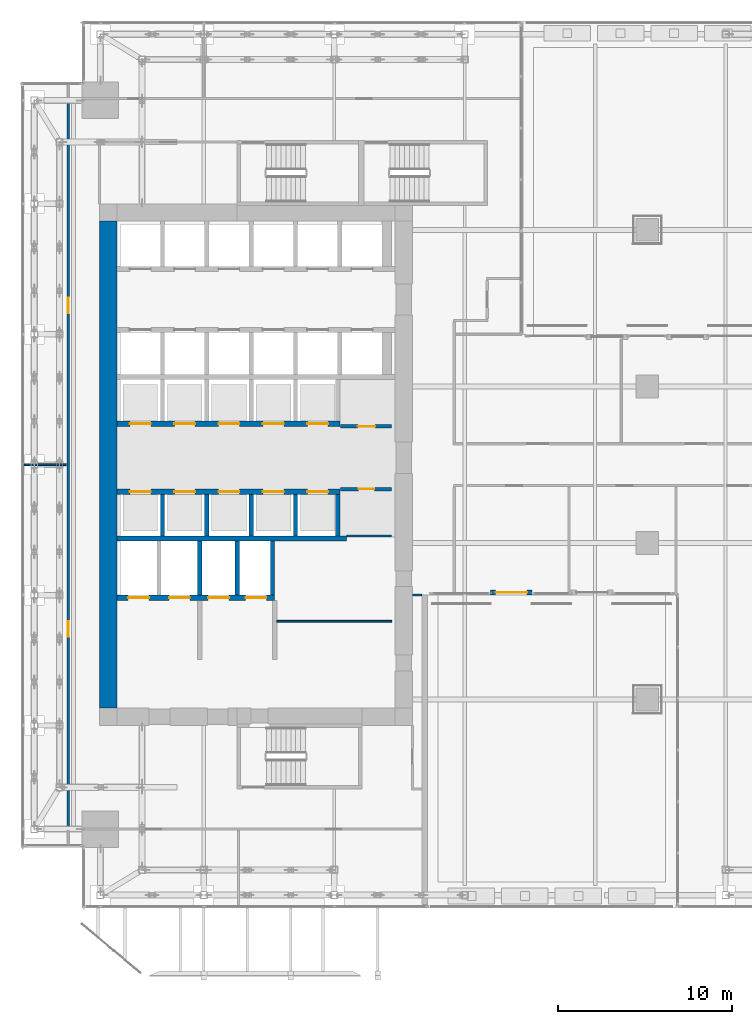
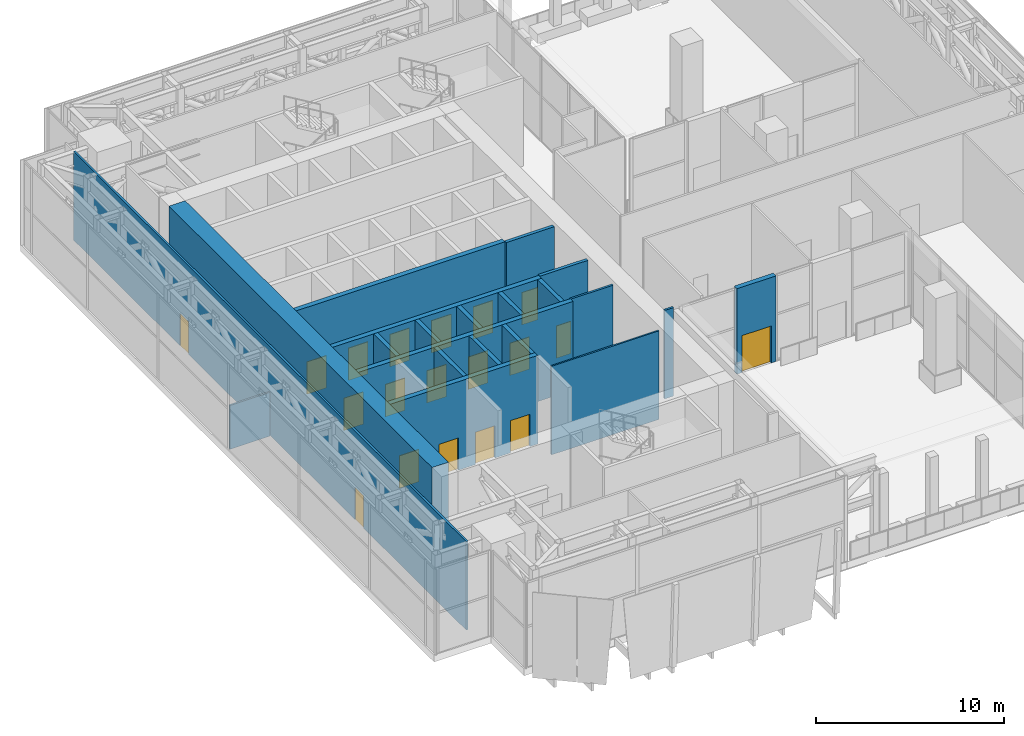
# One storey, part 36 of 47: 21 walls, 19 doors, 19 openings.
"""IFC4 building model written with IfcOpenShell, lengths in metres."""

from ifc_helpers import new_model, si_unit, direction, frame, frame_2d, origin, place, context, subcontext, project, spatial, rectangle, extrude, source, transform, mapped, material, layer, layer_set, type_object, element, fill, save


model = new_model("IFC4")

# Units and contexts
model_context = context("Model", 3, precision=1e-05, world=origin(), true_north=direction((0.0, 1.0)))
body_context = subcontext(model_context, "Body", "Model", "MODEL_VIEW")
ifc_project = project(units=[si_unit("LENGTHUNIT", "METRE"), si_unit("AREAUNIT", "SQUARE_METRE"), si_unit("VOLUMEUNIT", "CUBIC_METRE"), si_unit("PLANEANGLEUNIT", "RADIAN"), si_unit("MASSUNIT", "GRAM", prefix="KILO")], contexts=[model_context])

# Site, building, storey
site_placement = place(None, origin())
site = spatial("IfcSite", under=ifc_project, at=site_placement, CompositionType="ELEMENT")
building_placement = place(site_placement, origin())
building = spatial("IfcBuilding", under=site, at=building_placement, Name="Khomas Fold Tower", CompositionType="ELEMENT")
storey_placement = place(building_placement, frame((0.0, 0.0, 158.699951171875)))
storey = spatial("IfcBuildingStorey", under=building, at=storey_placement, Name="L34", CompositionType="ELEMENT", Elevation=158.699951171875)

# Walls
ifc_material_1 = material(Name="Concrete C70/85", Category="concrete")
ifc_layer_1 = layer(ifc_material_1, 1.0)
ifc_layer_set_1 = layer_set([ifc_layer_1], Name="Concrete C70/85")
wall_type_1 = type_object("IfcWallType", Name="Core wall 1000", PredefinedType="SHEAR", material=ifc_layer_set_1)
shared_shape_1 = source(origin(), body_context, "Body", "SweptSolid", [
    extrude(rectangle(XDim=28.0, YDim=1.0, at=frame_2d((14.0, 0.0))), origin(), (0.0, 0.0, 1.0), 5.75),
])
wall_1_placement = place(storey_placement, frame((6.5, 13.0, 0.0), z_axis=(0.0, 0.0, 1.0), x_axis=(0.0, 1.0, 0.0)))
element("IfcWall", 1, at=wall_1_placement, inside=storey, type_object=wall_type_1, Name="Core wall CW-L-W-L21", PredefinedType="SHEAR", context=body_context, shape_type="MappedRepresentation", body=[
    mapped(shared_shape_1, transform((0.0, 0.0, 0.0))),
])
ifc_material_2 = material(Name="Concrete C50/60", Category="concrete")
ifc_layer_2 = layer(ifc_material_2, 0.300048828125)
ifc_layer_set_2 = layer_set([ifc_layer_2], Name="Concrete C50/60")
wall_type_2 = type_object("IfcWallType", Name="Shaft wall 300", PredefinedType="STANDARD", material=ifc_layer_set_2)
shared_shape_2 = source(origin(), body_context, "Body", "SweptSolid", [
    extrude(rectangle(XDim=13.199951171875, YDim=0.300048828125, at=frame_2d((6.60009765625, 0.0))), origin(), (0.0, 0.0, 1.0), 5.75),
])
wall_2_placement = place(storey_placement, frame((7.0, 22.75, 0.0), z_axis=(0.0, 0.0, 1.0), x_axis=(1.0, 0.0, 0.0)))
element("IfcWall", 2, at=wall_2_placement, inside=storey, type_object=wall_type_2, Name="Core wall SW-FS-B", PredefinedType="STANDARD", context=body_context, shape_type="MappedRepresentation", body=[
    mapped(shared_shape_2, transform((0.0, 0.0, 0.0))),
])

# Wall, openings, doors
shared_shape_3 = source(origin(), body_context, "Body", "SweptSolid", [
    extrude(rectangle(XDim=9.074951171875, YDim=0.300048828125, at=frame_2d((4.53759765625, 0.0))), origin(), (0.0, 0.0, 1.0), 5.75),
])
wall_3_placement = place(storey_placement, frame((7.0, 19.35009765625, 0.0), z_axis=(0.0, 0.0, 1.0), x_axis=(1.0, 0.0, 0.0)))
wall_3 = element("IfcWall", 3, at=wall_3_placement, inside=storey, type_object=wall_type_2, Name="Core wall SW-FS-F", PredefinedType="STANDARD", context=body_context, shape_type="MappedRepresentation", body=[
    mapped(shared_shape_3, transform((0.0, 0.0, 0.0))),
])
shared_shape_4 = source(origin(), body_context, "Body", "SweptSolid", [
    extrude(rectangle(XDim=1.199951171875, YDim=2.10009765625, at=frame_2d((0.60009765625, 1.050048828125))), frame((0.0, 0.159912109375, 0.0), z_axis=(0.0, -1.0, 0.0), x_axis=(1.0, 0.0, 0.0)), (0.0, 0.0, 1.0), 0.320068359375),
])
opening_1_placement = place(wall_3_placement, frame((0.64990234375, 0.0, 0.0)))
opening_1 = element("IfcOpeningElement", 4, at=opening_1_placement, cuts=wall_3, Name="Opening LD-SV1", PredefinedType="OPENING", context=body_context, shape_type="MappedRepresentation", body=[
    mapped(shared_shape_4, transform((0.0, 0.0, 0.0))),
])
opening_2_placement = place(wall_3_placement, frame((3.0, 0.0, 0.0)))
opening_2 = element("IfcOpeningElement", 5, at=opening_2_placement, cuts=wall_3, Name="Opening LD-SV2", PredefinedType="OPENING", context=body_context, shape_type="MappedRepresentation", body=[
    mapped(shared_shape_4, transform((0.0, 0.0, 0.0))),
])
opening_3_placement = place(wall_3_placement, frame((5.25, 0.0, 0.0)))
opening_3 = element("IfcOpeningElement", 6, at=opening_3_placement, cuts=wall_3, Name="Opening LD-FF1", PredefinedType="OPENING", context=body_context, shape_type="MappedRepresentation", body=[
    mapped(shared_shape_4, transform((0.0, 0.0, 0.0))),
])
opening_4_placement = place(wall_3_placement, frame((7.39990234375, 0.0, 0.0)))
opening_4 = element("IfcOpeningElement", 7, at=opening_4_placement, cuts=wall_3, Name="Opening LD-FF2", PredefinedType="OPENING", context=body_context, shape_type="MappedRepresentation", body=[
    mapped(shared_shape_4, transform((0.0, 0.0, 0.0))),
])
ifc_material_3 = material(Name="Steel door leaf", Category="steel")
door_type_1 = type_object("IfcDoorType", Name="Landing door 1200x2100", OperationType="DOUBLE_DOOR_SLIDING", PredefinedType="DOOR", material=ifc_material_3)
shared_shape_5 = source(origin(), body_context, "Body", "SweptSolid", [
    extrude(rectangle(XDim=1.199951171875, YDim=2.10009765625, at=frame_2d((0.60009765625, 1.050048828125))), frame((0.0, 0.02490234375, 0.0), z_axis=(0.0, -1.0, 0.0), x_axis=(1.0, 0.0, 0.0)), (0.0, 0.0, 1.0), 0.050048828125),
])
door_1_placement = place(opening_1_placement, origin())
door_1 = element("IfcDoor", 8, at=door_1_placement, inside=storey, type_object=door_type_1, Name="Lift landing door", OperationType="DOUBLE_DOOR_SLIDING", OverallHeight=2.10009765625, OverallWidth=1.199951171875, PredefinedType="DOOR", context=body_context, shape_type="MappedRepresentation", body=[
    mapped(shared_shape_5, transform((0.0, 0.0, 0.0))),
])
fill(opening_1, door_1)
door_2_placement = place(opening_2_placement, origin())
door_2 = element("IfcDoor", 9, at=door_2_placement, inside=storey, type_object=door_type_1, Name="Lift landing door", OperationType="DOUBLE_DOOR_SLIDING", OverallHeight=2.10009765625, OverallWidth=1.199951171875, PredefinedType="DOOR", context=body_context, shape_type="MappedRepresentation", body=[
    mapped(shared_shape_5, transform((0.0, 0.0, 0.0))),
])
fill(opening_2, door_2)
door_3_placement = place(opening_3_placement, origin())
door_3 = element("IfcDoor", 10, at=door_3_placement, inside=storey, type_object=door_type_1, Name="Lift landing door", OperationType="DOUBLE_DOOR_SLIDING", OverallHeight=2.10009765625, OverallWidth=1.199951171875, PredefinedType="DOOR", context=body_context, shape_type="MappedRepresentation", body=[
    mapped(shared_shape_5, transform((0.0, 0.0, 0.0))),
])
fill(opening_3, door_3)
door_4_placement = place(opening_4_placement, origin())
door_4 = element("IfcDoor", 11, at=door_4_placement, inside=storey, type_object=door_type_1, Name="Lift landing door", OperationType="DOUBLE_DOOR_SLIDING", OverallHeight=2.10009765625, OverallWidth=1.199951171875, PredefinedType="DOOR", context=body_context, shape_type="MappedRepresentation", body=[
    mapped(shared_shape_5, transform((0.0, 0.0, 0.0))),
])
fill(opening_4, door_4)

shared_shape_6 = source(origin(), body_context, "Body", "SweptSolid", [
    extrude(rectangle(XDim=12.824951171875, YDim=0.300048828125, at=frame_2d((6.41259765625, 0.0))), origin(), (0.0, 0.0, 1.0), 5.75),
])
wall_4_placement = place(storey_placement, frame((7.0, 29.35009765625, 0.0), z_axis=(0.0, 0.0, 1.0), x_axis=(1.0, 0.0, 0.0)))
wall_4 = element("IfcWall", 12, at=wall_4_placement, inside=storey, type_object=wall_type_2, Name="Core wall SW-HRN-F", PredefinedType="STANDARD", context=body_context, shape_type="MappedRepresentation", body=[
    mapped(shared_shape_6, transform((0.0, 0.0, 0.0))),
])
opening_5_placement = place(wall_4_placement, frame((0.75, 0.0, 0.0)))
opening_5 = element("IfcOpeningElement", 13, at=opening_5_placement, cuts=wall_4, Name="Opening LD-HR4", PredefinedType="OPENING", context=body_context, shape_type="MappedRepresentation", body=[
    mapped(shared_shape_4, transform((0.0, 0.0, 0.0))),
])
opening_6_placement = place(wall_4_placement, frame((3.300048828125, 0.0, 0.0)))
opening_6 = element("IfcOpeningElement", 14, at=opening_6_placement, cuts=wall_4, Name="Opening LD-HR5", PredefinedType="OPENING", context=body_context, shape_type="MappedRepresentation", body=[
    mapped(shared_shape_4, transform((0.0, 0.0, 0.0))),
])
opening_7_placement = place(wall_4_placement, frame((5.85009765625, 0.0, 0.0)))
opening_7 = element("IfcOpeningElement", 15, at=opening_7_placement, cuts=wall_4, Name="Opening LD-HR6", PredefinedType="OPENING", context=body_context, shape_type="MappedRepresentation", body=[
    mapped(shared_shape_4, transform((0.0, 0.0, 0.0))),
])
opening_8_placement = place(wall_4_placement, frame((8.39990234375, 0.0, 0.0)))
opening_8 = element("IfcOpeningElement", 16, at=opening_8_placement, cuts=wall_4, Name="Opening LD-MR3", PredefinedType="OPENING", context=body_context, shape_type="MappedRepresentation", body=[
    mapped(shared_shape_4, transform((0.0, 0.0, 0.0))),
])
opening_9_placement = place(wall_4_placement, frame((10.949951171875, 0.0, 0.0)))
opening_9 = element("IfcOpeningElement", 17, at=opening_9_placement, cuts=wall_4, Name="Opening LD-MR4", PredefinedType="OPENING", context=body_context, shape_type="MappedRepresentation", body=[
    mapped(shared_shape_4, transform((0.0, 0.0, 0.0))),
])
door_5_placement = place(opening_5_placement, origin())
door_5 = element("IfcDoor", 18, at=door_5_placement, inside=storey, type_object=door_type_1, Name="Lift landing door", OperationType="DOUBLE_DOOR_SLIDING", OverallHeight=2.10009765625, OverallWidth=1.199951171875, PredefinedType="DOOR", context=body_context, shape_type="MappedRepresentation", body=[
    mapped(shared_shape_5, transform((0.0, 0.0, 0.0))),
])
fill(opening_5, door_5)
door_6_placement = place(opening_6_placement, origin())
door_6 = element("IfcDoor", 19, at=door_6_placement, inside=storey, type_object=door_type_1, Name="Lift landing door", OperationType="DOUBLE_DOOR_SLIDING", OverallHeight=2.10009765625, OverallWidth=1.199951171875, PredefinedType="DOOR", context=body_context, shape_type="MappedRepresentation", body=[
    mapped(shared_shape_5, transform((0.0, 0.0, 0.0))),
])
fill(opening_6, door_6)
door_7_placement = place(opening_7_placement, origin())
door_7 = element("IfcDoor", 20, at=door_7_placement, inside=storey, type_object=door_type_1, Name="Lift landing door", OperationType="DOUBLE_DOOR_SLIDING", OverallHeight=2.10009765625, OverallWidth=1.199951171875, PredefinedType="DOOR", context=body_context, shape_type="MappedRepresentation", body=[
    mapped(shared_shape_5, transform((0.0, 0.0, 0.0))),
])
fill(opening_7, door_7)
door_8_placement = place(opening_8_placement, origin())
door_8 = element("IfcDoor", 21, at=door_8_placement, inside=storey, type_object=door_type_1, Name="Lift landing door", OperationType="DOUBLE_DOOR_SLIDING", OverallHeight=2.10009765625, OverallWidth=1.199951171875, PredefinedType="DOOR", context=body_context, shape_type="MappedRepresentation", body=[
    mapped(shared_shape_5, transform((0.0, 0.0, 0.0))),
])
fill(opening_8, door_8)
door_9_placement = place(opening_9_placement, origin())
door_9 = element("IfcDoor", 22, at=door_9_placement, inside=storey, type_object=door_type_1, Name="Lift landing door", OperationType="DOUBLE_DOOR_SLIDING", OverallHeight=2.10009765625, OverallWidth=1.199951171875, PredefinedType="DOOR", context=body_context, shape_type="MappedRepresentation", body=[
    mapped(shared_shape_5, transform((0.0, 0.0, 0.0))),
])
fill(opening_9, door_9)

wall_5_placement = place(storey_placement, frame((7.0, 25.449951171875, 0.0), z_axis=(0.0, 0.0, 1.0), x_axis=(1.0, 0.0, 0.0)))
wall_5 = element("IfcWall", 23, at=wall_5_placement, inside=storey, type_object=wall_type_2, Name="Core wall SW-HRS-F", PredefinedType="STANDARD", context=body_context, shape_type="MappedRepresentation", body=[
    mapped(shared_shape_6, transform((0.0, 0.0, 0.0))),
])
opening_10_placement = place(wall_5_placement, frame((0.75, 0.0, 0.0)))
opening_10 = element("IfcOpeningElement", 24, at=opening_10_placement, cuts=wall_5, Name="Opening LD-HR1", PredefinedType="OPENING", context=body_context, shape_type="MappedRepresentation", body=[
    mapped(shared_shape_4, transform((0.0, 0.0, 0.0))),
])
opening_11_placement = place(wall_5_placement, frame((3.300048828125, 0.0, 0.0)))
opening_11 = element("IfcOpeningElement", 25, at=opening_11_placement, cuts=wall_5, Name="Opening LD-HR2", PredefinedType="OPENING", context=body_context, shape_type="MappedRepresentation", body=[
    mapped(shared_shape_4, transform((0.0, 0.0, 0.0))),
])
opening_12_placement = place(wall_5_placement, frame((5.85009765625, 0.0, 0.0)))
opening_12 = element("IfcOpeningElement", 26, at=opening_12_placement, cuts=wall_5, Name="Opening LD-HR3", PredefinedType="OPENING", context=body_context, shape_type="MappedRepresentation", body=[
    mapped(shared_shape_4, transform((0.0, 0.0, 0.0))),
])
opening_13_placement = place(wall_5_placement, frame((8.39990234375, 0.0, 0.0)))
opening_13 = element("IfcOpeningElement", 27, at=opening_13_placement, cuts=wall_5, Name="Opening LD-MR1", PredefinedType="OPENING", context=body_context, shape_type="MappedRepresentation", body=[
    mapped(shared_shape_4, transform((0.0, 0.0, 0.0))),
])
opening_14_placement = place(wall_5_placement, frame((10.949951171875, 0.0, 0.0)))
opening_14 = element("IfcOpeningElement", 28, at=opening_14_placement, cuts=wall_5, Name="Opening LD-MR2", PredefinedType="OPENING", context=body_context, shape_type="MappedRepresentation", body=[
    mapped(shared_shape_4, transform((0.0, 0.0, 0.0))),
])
door_10_placement = place(opening_10_placement, origin())
door_10 = element("IfcDoor", 29, at=door_10_placement, inside=storey, type_object=door_type_1, Name="Lift landing door", OperationType="DOUBLE_DOOR_SLIDING", OverallHeight=2.10009765625, OverallWidth=1.199951171875, PredefinedType="DOOR", context=body_context, shape_type="MappedRepresentation", body=[
    mapped(shared_shape_5, transform((0.0, 0.0, 0.0))),
])
fill(opening_10, door_10)
door_11_placement = place(opening_11_placement, origin())
door_11 = element("IfcDoor", 30, at=door_11_placement, inside=storey, type_object=door_type_1, Name="Lift landing door", OperationType="DOUBLE_DOOR_SLIDING", OverallHeight=2.10009765625, OverallWidth=1.199951171875, PredefinedType="DOOR", context=body_context, shape_type="MappedRepresentation", body=[
    mapped(shared_shape_5, transform((0.0, 0.0, 0.0))),
])
fill(opening_11, door_11)
door_12_placement = place(opening_12_placement, origin())
door_12 = element("IfcDoor", 31, at=door_12_placement, inside=storey, type_object=door_type_1, Name="Lift landing door", OperationType="DOUBLE_DOOR_SLIDING", OverallHeight=2.10009765625, OverallWidth=1.199951171875, PredefinedType="DOOR", context=body_context, shape_type="MappedRepresentation", body=[
    mapped(shared_shape_5, transform((0.0, 0.0, 0.0))),
])
fill(opening_12, door_12)
door_13_placement = place(opening_13_placement, origin())
door_13 = element("IfcDoor", 32, at=door_13_placement, inside=storey, type_object=door_type_1, Name="Lift landing door", OperationType="DOUBLE_DOOR_SLIDING", OverallHeight=2.10009765625, OverallWidth=1.199951171875, PredefinedType="DOOR", context=body_context, shape_type="MappedRepresentation", body=[
    mapped(shared_shape_5, transform((0.0, 0.0, 0.0))),
])
fill(opening_13, door_13)
door_14_placement = place(opening_14_placement, origin())
door_14 = element("IfcDoor", 33, at=door_14_placement, inside=storey, type_object=door_type_1, Name="Lift landing door", OperationType="DOUBLE_DOOR_SLIDING", OverallHeight=2.10009765625, OverallWidth=1.199951171875, PredefinedType="DOOR", context=body_context, shape_type="MappedRepresentation", body=[
    mapped(shared_shape_5, transform((0.0, 0.0, 0.0))),
])
fill(opening_14, door_14)

# Walls
ifc_material_4 = material(Name="Concrete C50/60", Category="concrete")
ifc_layer_3 = layer(ifc_material_4, 0.25)
ifc_layer_set_3 = layer_set([ifc_layer_3], Name="Concrete C50/60")
wall_type_3 = type_object("IfcWallType", Name="Shaft wall 250", PredefinedType="STANDARD", material=ifc_layer_set_3)
shared_shape_7 = source(origin(), body_context, "Body", "SweptSolid", [
    extrude(rectangle(XDim=3.10009765625, YDim=0.25, at=frame_2d((1.550048828125, 0.0))), origin(), (0.0, 0.0, 1.0), 5.75),
])
for number, where, z_axis, x_axis, name in (
    (34, (11.77490234375, 19.5, 0.0), (0.0, 0.0, 1.0), (0.0, 1.0, 0.0), "Core wall SW-FS-P2"),
    (35, (13.925048828125, 19.5, 0.0), (0.0, 0.0, 1.0), (0.0, 1.0, 0.0), "Core wall SW-FS-P3"),
    (36, (15.949951171875, 19.5, 0.0), (0.0, 0.0, 1.0), (0.0, 1.0, 0.0), "Core wall SW-FS-PE"),
):
    element("IfcWall", number, at=place(storey_placement, frame(where, z_axis=z_axis, x_axis=x_axis)), inside=storey, type_object=wall_type_3, Name=name, PredefinedType="STANDARD", context=body_context, shape_type="MappedRepresentation", body=[
        mapped(shared_shape_7, transform((0.0, 0.0, 0.0))),
    ])
shared_shape_8 = source(origin(), body_context, "Body", "SweptSolid", [
    extrude(rectangle(XDim=2.400146484375, YDim=0.25, at=frame_2d((1.2001953125, 0.0))), origin(), (0.0, 0.0, 1.0), 5.75),
])
for number, where, z_axis, x_axis, name in (
    (37, (17.27490234375, 22.89990234375, 0.0), (0.0, 0.0, 1.0), (0.0, 1.0, 0.0), "Core wall SW-HRS-MR-P1"),
    (38, (19.699951171875, 22.89990234375, 0.0), (0.0, 0.0, 1.0), (0.0, 1.0, 0.0), "Core wall SW-HRS-MR-PE"),
    (39, (9.625, 22.89990234375, 0.0), (0.0, 0.0, 1.0), (0.0, 1.0, 0.0), "Core wall SW-HRS-P1"),
    (40, (12.175048828125, 22.89990234375, 0.0), (0.0, 0.0, 1.0), (0.0, 1.0, 0.0), "Core wall SW-HRS-P2"),
    (41, (14.72509765625, 22.89990234375, 0.0), (0.0, 0.0, 1.0), (0.0, 1.0, 0.0), "Core wall SW-HRS-PE"),
):
    element("IfcWall", number, at=place(storey_placement, frame(where, z_axis=z_axis, x_axis=x_axis)), inside=storey, type_object=wall_type_3, Name=name, PredefinedType="STANDARD", context=body_context, shape_type="MappedRepresentation", body=[
        mapped(shared_shape_8, transform((0.0, 0.0, 0.0))),
    ])

# Wall, opening, door
ifc_material_5 = material(Name="Concrete C40/50", Category="concrete")
ifc_layer_4 = layer(ifc_material_5, 0.300048828125)
ifc_layer_set_4 = layer_set([ifc_layer_4], Name="Concrete C40/50")
wall_type_4 = type_object("IfcWallType", Name="Garden door wall 300", PredefinedType="SOLIDWALL", material=ifc_layer_set_4)
shared_shape_9 = source(origin(), body_context, "Body", "SweptSolid", [
    extrude(rectangle(XDim=2.39990234375, YDim=0.300048828125, at=frame_2d((1.199951171875, 0.0))), origin(), (0.0, 0.0, 1.0), 5.550048828125),
])
wall_6_placement = place(storey_placement, frame((28.4833984375, 19.64990234375, 0.0), z_axis=(0.0, 0.0, 1.0), x_axis=(1.0, 0.0, 0.0)))
wall_6 = element("IfcWall", 42, at=wall_6_placement, inside=storey, type_object=wall_type_4, Name="Garden door wall", PredefinedType="SOLIDWALL", context=body_context, shape_type="MappedRepresentation", body=[
    mapped(shared_shape_9, transform((0.0, 0.0, 0.0))),
])
shared_shape_10 = source(origin(), body_context, "Body", "SweptSolid", [
    extrude(rectangle(XDim=1.800048828125, YDim=2.39990234375, at=frame_2d((0.89990234375, 1.199951171875))), frame((0.0, 0.159912109375, 0.0), z_axis=(0.0, -1.0, 0.0), x_axis=(1.0, 0.0, 0.0)), (0.0, 0.0, 1.0), 0.320068359375),
])
opening_15_placement = place(wall_6_placement, frame((2.10009765625, 0.0, 0.0), z_axis=(0.0, 0.0, 1.0), x_axis=(-1.0, 0.0, 0.0)))
opening_15 = element("IfcOpeningElement", 43, at=opening_15_placement, cuts=wall_6, Name="Opening GNS01", PredefinedType="OPENING", context=body_context, shape_type="MappedRepresentation", body=[
    mapped(shared_shape_10, transform((0.0, 0.0, 0.0))),
])
ifc_material_6 = material(Name="Aluminium framed glazing", Category="aluminium")
door_type_2 = type_object("IfcDoorType", Name="Garden door 1800 x 2400", OperationType="DOUBLE_DOOR_DOUBLE_SWING", PredefinedType="DOOR", material=ifc_material_6)
shared_shape_11 = source(origin(), body_context, "Body", "SweptSolid", [
    extrude(rectangle(XDim=1.800048828125, YDim=2.39990234375, at=frame_2d((0.89990234375, 1.199951171875))), frame((0.0, 0.02490234375, 0.0), z_axis=(0.0, -1.0, 0.0), x_axis=(1.0, 0.0, 0.0)), (0.0, 0.0, 1.0), 0.050048828125),
])
door_15_placement = place(opening_15_placement, origin())
door_15 = element("IfcDoor", 44, at=door_15_placement, inside=storey, type_object=door_type_2, Name="Garden door", OperationType="DOUBLE_DOOR_DOUBLE_SWING", OverallHeight=2.39990234375, OverallWidth=1.800048828125, PredefinedType="DOOR", context=body_context, shape_type="MappedRepresentation", body=[
    mapped(shared_shape_11, transform((0.0, 0.0, 0.0))),
])
fill(opening_15, door_15)

# Wall, openings, doors
ifc_material_7 = material(Name="Plasterboard partition")
ifc_layer_5 = layer(ifc_material_7, 0.125)
ifc_layer_set_5 = layer_set([ifc_layer_5], Name="Plasterboard partition")
wall_type_5 = type_object("IfcWallType", Name="Partition PW2 125", PredefinedType="PARTITIONING", material=ifc_layer_set_5)
shared_shape_12 = source(origin(), body_context, "Body", "SweptSolid", [
    extrude(rectangle(XDim=41.800048828125, YDim=0.125, at=frame_2d((20.89990234375, 0.0))), origin(), (0.0, 0.0, 1.0), 5.75),
])
wall_7_placement = place(storey_placement, frame((4.199951171875, 6.14990234375, 0.0), z_axis=(0.0, 0.0, 1.0), x_axis=(0.0, 1.0, 0.0)))
wall_7 = element("IfcWall", 45, at=wall_7_placement, inside=storey, type_object=wall_type_5, Name="Partition", PredefinedType="PARTITIONING", context=body_context, shape_type="MappedRepresentation", body=[
    mapped(shared_shape_12, transform((0.0, 0.0, 0.0))),
])
shared_shape_13 = source(origin(), body_context, "Body", "SweptSolid", [
    extrude(rectangle(XDim=0.89990234375, YDim=2.10009765625, at=frame_2d((0.449951171875, 1.050048828125))), frame((0.0, 0.072509765625, 0.0), z_axis=(0.0, -1.0, 0.0), x_axis=(1.0, 0.0, 0.0)), (0.0, 0.0, 1.0), 0.14501953125),
])
opening_16_placement = place(wall_7_placement, frame((10.949951171875, 0.0, 0.0)))
opening_16 = element("IfcOpeningElement", 46, at=opening_16_placement, cuts=wall_7, Name="Opening 0008", PredefinedType="OPENING", context=body_context, shape_type="MappedRepresentation", body=[
    mapped(shared_shape_13, transform((0.0, 0.0, 0.0))),
])
opening_17_placement = place(wall_7_placement, frame((29.550048828125, 0.0, 0.0)))
opening_17 = element("IfcOpeningElement", 47, at=opening_17_placement, cuts=wall_7, Name="Opening 0008", PredefinedType="OPENING", context=body_context, shape_type="MappedRepresentation", body=[
    mapped(shared_shape_13, transform((0.0, 0.0, 0.0))),
])
ifc_material_8 = material(Name="Timber door leaf", Category="wood")
door_type_3 = type_object("IfcDoorType", Name="Door 900x2100 right-hand", OperationType="SINGLE_SWING_RIGHT", PredefinedType="DOOR", material=ifc_material_8)
shared_shape_14 = source(origin(), body_context, "Body", "SweptSolid", [
    extrude(rectangle(XDim=0.89990234375, YDim=2.10009765625, at=frame_2d((0.449951171875, 1.050048828125))), frame((0.0, 0.02490234375, 0.0), z_axis=(0.0, -1.0, 0.0), x_axis=(1.0, 0.0, 0.0)), (0.0, 0.0, 1.0), 0.050048828125),
])
door_16_placement = place(opening_16_placement, origin())
door_16 = element("IfcDoor", 48, at=door_16_placement, inside=storey, type_object=door_type_3, Name="Door", OperationType="SINGLE_SWING_RIGHT", OverallHeight=2.10009765625, OverallWidth=0.89990234375, PredefinedType="DOOR", context=body_context, shape_type="MappedRepresentation", body=[
    mapped(shared_shape_14, transform((0.0, 0.0, 0.0))),
])
fill(opening_16, door_16)
door_17_placement = place(opening_17_placement, origin())
door_17 = element("IfcDoor", 49, at=door_17_placement, inside=storey, type_object=door_type_3, Name="Door", OperationType="SINGLE_SWING_RIGHT", OverallHeight=2.10009765625, OverallWidth=0.89990234375, PredefinedType="DOOR", context=body_context, shape_type="MappedRepresentation", body=[
    mapped(shared_shape_14, transform((0.0, 0.0, 0.0))),
])
fill(opening_17, door_17)

# Walls
ifc_material_9 = material(Name="Plasterboard partition")
ifc_layer_6 = layer(ifc_material_9, 0.10009765625)
ifc_layer_set_6 = layer_set([ifc_layer_6], Name="Plasterboard partition")
wall_type_6 = type_object("IfcWallType", Name="Partition PW1 100", PredefinedType="PARTITIONING", material=ifc_layer_set_6)
shared_shape_15 = source(origin(), body_context, "Body", "SweptSolid", [
    extrude(rectangle(XDim=6.60009765625, YDim=0.10009765625, at=frame_2d((3.300048828125, 0.0))), origin(), (0.0, 0.0, 1.0), 5.75),
])
wall_8_placement = place(storey_placement, frame((16.199951171875, 18.0, 0.0), z_axis=(0.0, 0.0, 1.0), x_axis=(1.0, 0.0, 0.0)))
element("IfcWall", 50, at=wall_8_placement, inside=storey, type_object=wall_type_6, Name="Partition", PredefinedType="PARTITIONING", context=body_context, shape_type="MappedRepresentation", body=[
    mapped(shared_shape_15, transform((0.0, 0.0, 0.0))),
])
shared_shape_16 = source(origin(), body_context, "Body", "SweptSolid", [
    extrude(rectangle(XDim=0.550048828125, YDim=0.125, at=frame_2d((0.27490234375, 0.0))), origin(), (0.0, 0.0, 1.0), 5.75),
])
wall_9_placement = place(storey_placement, frame((24.0, 19.5, 0.0), z_axis=(0.0, 0.0, 1.0), x_axis=(1.0, 0.0, 0.0)))
element("IfcWall", 51, at=wall_9_placement, inside=storey, type_object=wall_type_5, Name="Partition", PredefinedType="PARTITIONING", context=body_context, shape_type="MappedRepresentation", body=[
    mapped(shared_shape_16, transform((0.0, 0.0, 0.0))),
])
shared_shape_17 = source(origin(), body_context, "Body", "SweptSolid", [
    extrude(rectangle(XDim=2.60009765625, YDim=0.125, at=frame_2d((1.300048828125, 0.0))), origin(), (0.0, 0.0, 1.0), 5.75),
])
wall_10_placement = place(storey_placement, frame((20.199951171875, 22.89990234375, 0.0), z_axis=(0.0, 0.0, 1.0), x_axis=(1.0, 0.0, 0.0)))
element("IfcWall", 52, at=wall_10_placement, inside=storey, type_object=wall_type_5, Name="Partition", PredefinedType="PARTITIONING", context=body_context, shape_type="MappedRepresentation", body=[
    mapped(shared_shape_17, transform((0.0, 0.0, 0.0))),
])

# Wall, opening, door
ifc_material_10 = material(Name="Concrete C30/37", Category="concrete")
ifc_layer_7 = layer(ifc_material_10, 0.199951171875)
ifc_layer_set_7 = layer_set([ifc_layer_7], Name="Concrete C30/37")
wall_type_7 = type_object("IfcWallType", Name="Lobby wall PW4 200", PredefinedType="PARTITIONING", material=ifc_layer_set_7)
shared_shape_18 = source(origin(), body_context, "Body", "SweptSolid", [
    extrude(rectangle(XDim=2.949951171875, YDim=0.199951171875, at=frame_2d((1.47509765625, 0.0))), origin(), (0.0, 0.0, 1.0), 5.75),
])
wall_11_placement = place(storey_placement, frame((19.85009765625, 25.60009765625, 0.0), z_axis=(0.0, 0.0, 1.0), x_axis=(1.0, 0.0, 0.0)))
wall_11 = element("IfcWall", 53, at=wall_11_placement, inside=storey, type_object=wall_type_7, Name="Lobby wall", PredefinedType="PARTITIONING", context=body_context, shape_type="MappedRepresentation", body=[
    mapped(shared_shape_18, transform((0.0, 0.0, 0.0))),
])
shared_shape_19 = source(origin(), body_context, "Body", "SweptSolid", [
    extrude(rectangle(XDim=0.89990234375, YDim=2.10009765625, at=frame_2d((0.449951171875, 1.050048828125))), frame((0.0, 0.10986328125, 0.0), z_axis=(0.0, -1.0, 0.0), x_axis=(1.0, 0.0, 0.0)), (0.0, 0.0, 1.0), 0.219970703125),
])
opening_18_placement = place(wall_11_placement, frame((1.050048828125, 0.0, 0.0)))
opening_18 = element("IfcOpeningElement", 54, at=opening_18_placement, cuts=wall_11, Name="Opening 0021", PredefinedType="OPENING", context=body_context, shape_type="MappedRepresentation", body=[
    mapped(shared_shape_19, transform((0.0, 0.0, 0.0))),
])
ifc_material_11 = material(Name="Steel door leaf", Category="steel")
door_type_4 = type_object("IfcDoorType", Name="Lobby door 900x2100 left-hand", OperationType="SINGLE_SWING_LEFT", PredefinedType="DOOR", material=ifc_material_11)
door_18_placement = place(opening_18_placement, origin())
door_18 = element("IfcDoor", 55, at=door_18_placement, inside=storey, type_object=door_type_4, Name="Lobby door", OperationType="SINGLE_SWING_LEFT", OverallHeight=2.10009765625, OverallWidth=0.89990234375, PredefinedType="DOOR", context=body_context, shape_type="MappedRepresentation", body=[
    mapped(shared_shape_14, transform((0.0, 0.0, 0.0))),
])
fill(opening_18, door_18)

wall_12_placement = place(storey_placement, frame((19.85009765625, 29.199951171875, 0.0), z_axis=(0.0, 0.0, 1.0), x_axis=(1.0, 0.0, 0.0)))
wall_12 = element("IfcWall", 56, at=wall_12_placement, inside=storey, type_object=wall_type_7, Name="Lobby wall", PredefinedType="PARTITIONING", context=body_context, shape_type="MappedRepresentation", body=[
    mapped(shared_shape_18, transform((0.0, 0.0, 0.0))),
])
shared_shape_20 = source(origin(), body_context, "Body", "SweptSolid", [
    extrude(rectangle(XDim=1.0, YDim=2.10009765625, at=frame_2d((0.5, 1.050048828125))), frame((0.0, 0.10986328125, 0.0), z_axis=(0.0, -1.0, 0.0), x_axis=(1.0, 0.0, 0.0)), (0.0, 0.0, 1.0), 0.219970703125),
])
opening_19_placement = place(wall_12_placement, frame((1.0, 0.0, 0.0)))
opening_19 = element("IfcOpeningElement", 57, at=opening_19_placement, cuts=wall_12, Name="Opening 0020", PredefinedType="OPENING", context=body_context, shape_type="MappedRepresentation", body=[
    mapped(shared_shape_20, transform((0.0, 0.0, 0.0))),
])
ifc_material_12 = material(Name="Steel door leaf", Category="steel")
door_type_5 = type_object("IfcDoorType", Name="Lobby door 1000x2100 right-hand", OperationType="SINGLE_SWING_RIGHT", PredefinedType="DOOR", material=ifc_material_12)
shared_shape_21 = source(origin(), body_context, "Body", "SweptSolid", [
    extrude(rectangle(XDim=1.0, YDim=2.10009765625, at=frame_2d((0.5, 1.050048828125))), frame((0.0, 0.02490234375, 0.0), z_axis=(0.0, -1.0, 0.0), x_axis=(1.0, 0.0, 0.0)), (0.0, 0.0, 1.0), 0.050048828125),
])
door_19_placement = place(opening_19_placement, origin())
door_19 = element("IfcDoor", 58, at=door_19_placement, inside=storey, type_object=door_type_5, Name="Lobby door", OperationType="SINGLE_SWING_RIGHT", OverallHeight=2.10009765625, OverallWidth=1.0, PredefinedType="DOOR", context=body_context, shape_type="MappedRepresentation", body=[
    mapped(shared_shape_21, transform((0.0, 0.0, 0.0))),
])
fill(opening_19, door_19)

# Wall
shared_shape_22 = source(origin(), body_context, "Body", "SweptSolid", [
    extrude(rectangle(XDim=2.4501953125, YDim=0.10009765625, at=frame_2d((1.22509765625, 0.0))), origin(), (0.0, 0.0, 1.0), 2.85009765625),
])
wall_13_placement = place(storey_placement, frame((1.64990234375, 27.0, 0.0), z_axis=(0.0, 0.0, 1.0), x_axis=(1.0, 0.0, 0.0)))
element("IfcWall", 59, at=wall_13_placement, inside=storey, type_object=wall_type_6, Name="Partition", PredefinedType="PARTITIONING", context=body_context, shape_type="MappedRepresentation", body=[
    mapped(shared_shape_22, transform((0.0, 0.0, 0.0))),
])

save(model, "model.ifc")
